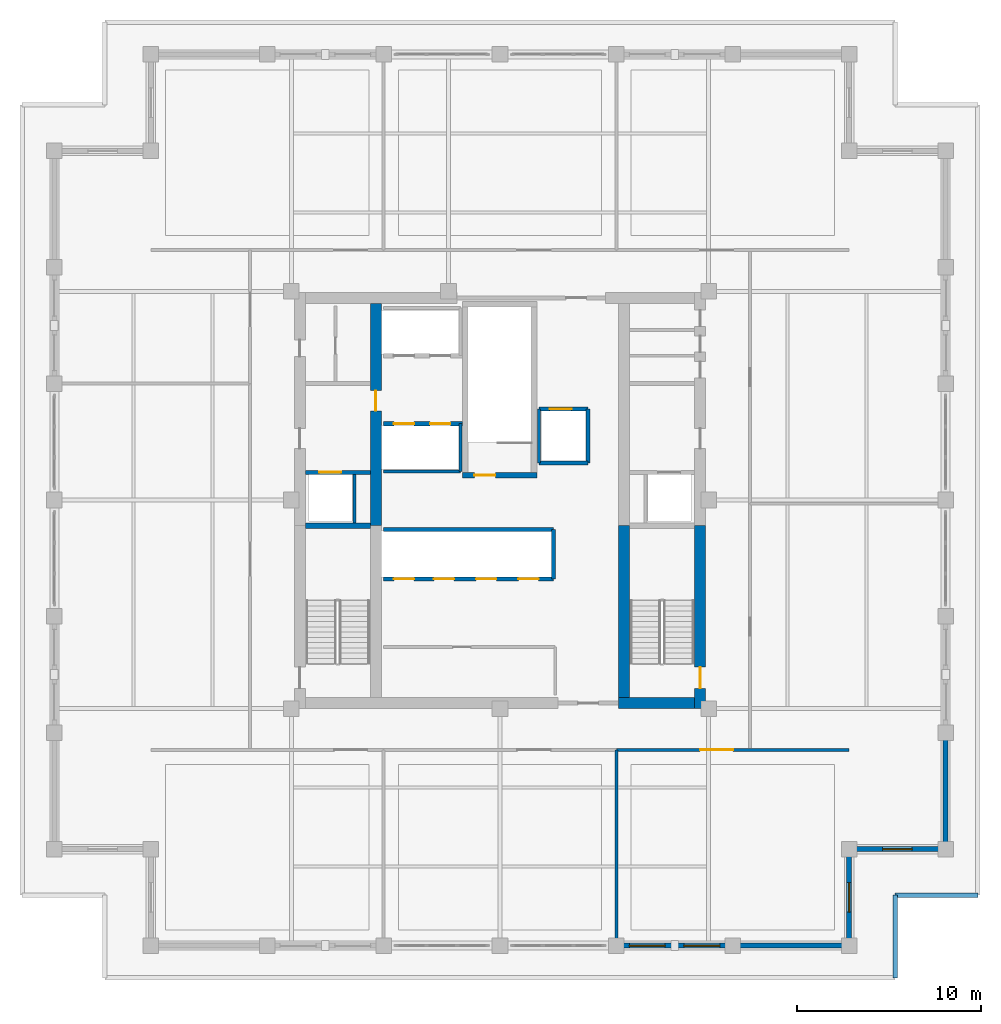
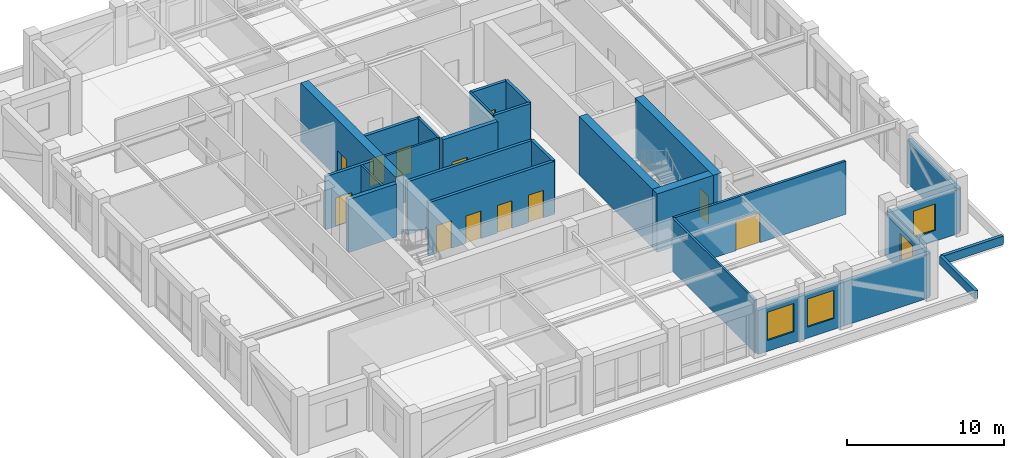
# One storey, part 8 of 14: 27 walls, 12 doors, 4 windows, 16 openings.
"""IFC4 building model written with IfcOpenShell, lengths in metres."""

from ifc_helpers import new_model, si_unit, direction, frame, frame_2d, origin, place, context, subcontext, project, spatial, rectangle, extrude, material, layer, layer_set, type_object, element, fill, save


model = new_model("IFC4")

# Units and contexts
model_context = context("Model", 3, precision=1e-05, world=origin(), true_north=direction((0.0, 1.0)))
body_context = subcontext(model_context, "Body", "Model", "MODEL_VIEW")
ifc_project = project(units=[si_unit("LENGTHUNIT", "METRE"), si_unit("AREAUNIT", "SQUARE_METRE"), si_unit("VOLUMEUNIT", "CUBIC_METRE"), si_unit("PLANEANGLEUNIT", "RADIAN"), si_unit("MASSUNIT", "GRAM", prefix="KILO")], contexts=[model_context])

# Site, building, storey
site_placement = place(None, origin())
site = spatial("IfcSite", under=ifc_project, at=site_placement, CompositionType="ELEMENT")
building_placement = place(site_placement, origin())
building = spatial("IfcBuilding", under=site, at=building_placement, Name="Nhamokura Convention Tower", CompositionType="ELEMENT")
storey_placement = place(building_placement, frame((0.0, 0.0, 182.35009765625)))
storey = spatial("IfcBuildingStorey", under=building, at=storey_placement, Name="L44", CompositionType="ELEMENT", Elevation=182.35009765625)

# Wall, openings, windows
ifc_material_1 = material(Name="Bronze-pigmented precast concrete C45/55", Category="concrete")
ifc_layer_1 = layer(ifc_material_1, 0.280029296875)
ifc_layer_set_1 = layer_set([ifc_layer_1], Name="BronzePrecastSpandrel_280")
wall_type_1 = type_object("IfcWallType", Name="BronzePrecastSpandrel_280", PredefinedType="USERDEFINED", material=ifc_layer_set_1)
wall_1_placement = place(storey_placement, frame((44.666748046875, 7.75, 0.0), z_axis=(0.0, 0.0, 1.0), x_axis=(-1.0, 0.0, 0.0)))
wall_1 = element("IfcWall", 1, at=wall_1_placement, inside=storey, type_object=wall_type_1, Name="L44 Masonry-Frame Wall SOUTH 4", ObjectType="SPANDREL_WALL", PredefinedType="USERDEFINED", context=body_context, shape_type="SweptSolid", body=[
    extrude(rectangle(XDim=6.33349609375, YDim=0.280029296875, at=frame_2d((3.166748046875, 0.0))), origin(), (0.0, 0.0, 1.0), 3.429931640625),
])
opening_1_placement = place(wall_1_placement, frame((0.708251953125, 0.0, 0.85009765625)))
opening_1 = element("IfcOpeningElement", 2, at=opening_1_placement, cuts=wall_1, Name="Opening W-08", PredefinedType="OPENING", context=body_context, shape_type="SweptSolid", body=[
    extrude(rectangle(XDim=1.949951171875, YDim=2.199951171875, at=frame_2d((0.97509765625, 1.10009765625))), frame((0.0, 0.14990234375, 0.0), z_axis=(0.0, -1.0, 0.0), x_axis=(1.0, 0.0, 0.0)), (0.0, 0.0, 1.0), 0.300048828125),
])
opening_2_placement = place(wall_1_placement, frame((3.675048828125, 0.0, 0.85009765625)))
opening_2 = element("IfcOpeningElement", 3, at=opening_2_placement, cuts=wall_1, Name="Opening W-08", PredefinedType="OPENING", context=body_context, shape_type="SweptSolid", body=[
    extrude(rectangle(XDim=1.949951171875, YDim=2.199951171875, at=frame_2d((0.97509765625, 1.10009765625))), frame((0.0, 0.14990234375, 0.0), z_axis=(0.0, -1.0, 0.0), x_axis=(1.0, 0.0, 0.0)), (0.0, 0.0, 1.0), 0.300048828125),
])
ifc_material_2 = material(Name="Solar-control bronze low-E double glass", Category="glass")
window_type_1 = type_object("IfcWindowType", Name="OfficeModuleWindow_Z3_1950", PartitioningType="SINGLE_PANEL", PredefinedType="WINDOW", material=ifc_material_2)
window_1_placement = place(opening_1_placement, origin())
window_1 = element("IfcWindow", 4, at=window_1_placement, inside=storey, type_object=window_type_1, Name="L44 Facade Window SOUTH 4-1", OverallHeight=2.199951171875, OverallWidth=1.949951171875, PartitioningType="SINGLE_PANEL", PredefinedType="WINDOW", context=body_context, shape_type="SweptSolid", body=[
    extrude(rectangle(XDim=1.949951171875, YDim=2.199951171875, at=frame_2d((0.97509765625, 1.10009765625))), frame((0.0, 0.030029296875, 0.0), z_axis=(0.0, -1.0, 0.0), x_axis=(1.0, 0.0, 0.0)), (0.0, 0.0, 1.0), 0.06005859375),
])
fill(opening_1, window_1)
window_2_placement = place(opening_2_placement, origin())
window_2 = element("IfcWindow", 5, at=window_2_placement, inside=storey, type_object=window_type_1, Name="L44 Facade Window SOUTH 4-2", OverallHeight=2.199951171875, OverallWidth=1.949951171875, PartitioningType="SINGLE_PANEL", PredefinedType="WINDOW", context=body_context, shape_type="SweptSolid", body=[
    extrude(rectangle(XDim=1.949951171875, YDim=2.199951171875, at=frame_2d((0.97509765625, 1.10009765625))), frame((0.0, 0.030029296875, 0.0), z_axis=(0.0, -1.0, 0.0), x_axis=(1.0, 0.0, 0.0)), (0.0, 0.0, 1.0), 0.06005859375),
])
fill(opening_2, window_2)

# Walls
for number, where, z_axis, x_axis, name in (
    (6, (51.0, 7.75, 0.0), (0.0, 0.0, 1.0), (-1.0, 0.0, 0.0), "L44 Braced-Bay Precast Wall SOUTH 5"),
    (7, (56.25, 19.333251953125, 0.0), (0.0, 0.0, 1.0), (0.0, -1.0, 0.0), "L44 Braced-Bay Precast Wall EAST 0"),
):
    element("IfcWall", number, at=place(storey_placement, frame(where, z_axis=z_axis, x_axis=x_axis)), inside=storey, type_object=wall_type_1, Name=name, ObjectType="SPANDREL_WALL", PredefinedType="USERDEFINED", context=body_context, shape_type="SweptSolid", body=[
        extrude(rectangle(XDim=6.333251953125, YDim=0.280029296875, at=frame_2d((3.16650390625, 0.0))), origin(), (0.0, 0.0, 1.0), 3.429931640625),
    ])

# Wall, opening, window
wall_2_placement = place(storey_placement, frame((51.0, 13.0, 0.0), z_axis=(0.0, 0.0, 1.0), x_axis=(0.0, -1.0, 0.0)))
wall_2 = element("IfcWall", 8, at=wall_2_placement, inside=storey, type_object=wall_type_1, Name="L44 Notched Corner Wall SE1", ObjectType="SPANDREL_WALL", PredefinedType="USERDEFINED", context=body_context, shape_type="SweptSolid", body=[
    extrude(rectangle(XDim=5.25, YDim=0.280029296875, at=frame_2d((2.625, 0.0))), origin(), (0.0, 0.0, 1.0), 3.429931640625),
])
opening_3_placement = place(wall_2_placement, frame((1.824951171875, 0.0, 0.85009765625)))
opening_3 = element("IfcOpeningElement", 9, at=opening_3_placement, cuts=wall_2, Name="Opening W-11", PredefinedType="OPENING", context=body_context, shape_type="SweptSolid", body=[
    extrude(rectangle(XDim=1.60009765625, YDim=2.050048828125, at=frame_2d((0.800048828125, 1.02490234375))), frame((0.0, 0.14990234375, 0.0), z_axis=(0.0, -1.0, 0.0), x_axis=(1.0, 0.0, 0.0)), (0.0, 0.0, 1.0), 0.300048828125),
])
ifc_material_3 = material(Name="Solar-control bronze low-E double glass", Category="glass")
window_type_2 = type_object("IfcWindowType", Name="NotchCornerWindow_1600", PartitioningType="SINGLE_PANEL", PredefinedType="WINDOW", material=ifc_material_3)
window_3_placement = place(opening_3_placement, origin())
window_3 = element("IfcWindow", 10, at=window_3_placement, inside=storey, type_object=window_type_2, Name="L44 Notched Corner Window SE1", OverallHeight=2.050048828125, OverallWidth=1.60009765625, PartitioningType="SINGLE_PANEL", PredefinedType="WINDOW", context=body_context, shape_type="SweptSolid", body=[
    extrude(rectangle(XDim=1.60009765625, YDim=2.050048828125, at=frame_2d((0.800048828125, 1.02490234375))), frame((0.0, 0.030029296875, 0.0), z_axis=(0.0, -1.0, 0.0), x_axis=(1.0, 0.0, 0.0)), (0.0, 0.0, 1.0), 0.06005859375),
])
fill(opening_3, window_3)

wall_3_placement = place(storey_placement, frame((56.25, 13.0, 0.0), z_axis=(0.0, 0.0, 1.0), x_axis=(-1.0, 0.0, 0.0)))
wall_3 = element("IfcWall", 11, at=wall_3_placement, inside=storey, type_object=wall_type_1, Name="L44 Notched Corner Wall SE2", ObjectType="SPANDREL_WALL", PredefinedType="USERDEFINED", context=body_context, shape_type="SweptSolid", body=[
    extrude(rectangle(XDim=5.25, YDim=0.280029296875, at=frame_2d((2.625, 0.0))), origin(), (0.0, 0.0, 1.0), 3.429931640625),
])
opening_4_placement = place(wall_3_placement, frame((1.824951171875, 0.0, 0.85009765625)))
opening_4 = element("IfcOpeningElement", 12, at=opening_4_placement, cuts=wall_3, Name="Opening W-11", PredefinedType="OPENING", context=body_context, shape_type="SweptSolid", body=[
    extrude(rectangle(XDim=1.60009765625, YDim=2.050048828125, at=frame_2d((0.800048828125, 1.02490234375))), frame((0.0, 0.14990234375, 0.0), z_axis=(0.0, -1.0, 0.0), x_axis=(1.0, 0.0, 0.0)), (0.0, 0.0, 1.0), 0.300048828125),
])
window_4_placement = place(opening_4_placement, origin())
window_4 = element("IfcWindow", 13, at=window_4_placement, inside=storey, type_object=window_type_2, Name="L44 Notched Corner Window SE2", OverallHeight=2.050048828125, OverallWidth=1.60009765625, PartitioningType="SINGLE_PANEL", PredefinedType="WINDOW", context=body_context, shape_type="SweptSolid", body=[
    extrude(rectangle(XDim=1.60009765625, YDim=2.050048828125, at=frame_2d((0.800048828125, 1.02490234375))), frame((0.0, 0.030029296875, 0.0), z_axis=(0.0, -1.0, 0.0), x_axis=(1.0, 0.0, 0.0)), (0.0, 0.0, 1.0), 0.06005859375),
])
fill(opening_4, window_4)

# Wall, opening, door
ifc_material_4 = material(Name="Concrete C60/75", Category="concrete")
ifc_layer_2 = layer(ifc_material_4, 0.60009765625)
ifc_layer_set_2 = layer_set([ifc_layer_2], Name="CoreShearWall_600")
wall_type_2 = type_object("IfcWallType", Name="CoreShearWall_600", PredefinedType="SHEAR", material=ifc_layer_set_2)
wall_4_placement = place(storey_placement, frame((42.889892578125, 20.64990234375, 0.0), z_axis=(0.0, 0.0, 1.0), x_axis=(0.0, 1.0, 0.0)))
wall_4 = element("IfcWall", 14, at=wall_4_placement, inside=storey, type_object=wall_type_2, Name="L44 Core Shear Wall CW-ES", PredefinedType="SHEAR", context=body_context, shape_type="SweptSolid", body=[
    extrude(rectangle(XDim=9.9501953125, YDim=0.60009765625, at=frame_2d((4.97509765625, 0.0))), origin(), (0.0, 0.0, 1.0), 4.5498046875),
])
opening_5_placement = place(wall_4_placement, frame((1.10009765625, 0.0, 0.0)))
opening_5 = element("IfcOpeningElement", 15, at=opening_5_placement, cuts=wall_4, Name="Opening D-04", PredefinedType="OPENING", context=body_context, shape_type="SweptSolid", body=[
    extrude(rectangle(XDim=1.14990234375, YDim=2.14990234375, at=frame_2d((0.574951171875, 1.074951171875))), frame((0.0, 0.31005859375, 0.0), z_axis=(0.0, -1.0, 0.0), x_axis=(1.0, 0.0, 0.0)), (0.0, 0.0, 1.0), 0.6201171875),
])
ifc_material_5 = material(Name="Fire-rated steel door", Category="steel")
door_type_1 = type_object("IfcDoorType", Name="StairSmokeDoor_1150", OperationType="NOTDEFINED", PredefinedType="DOOR", material=ifc_material_5)
door_1_placement = place(opening_5_placement, origin())
door_1 = element("IfcDoor", 16, at=door_1_placement, inside=storey, type_object=door_type_1, Name="L44 Core Door INT-L44-D-ST02", OperationType="SINGLE_SWING_RIGHT", OverallHeight=2.14990234375, OverallWidth=1.14990234375, PredefinedType="DOOR", context=body_context, shape_type="SweptSolid", body=[
    extrude(rectangle(XDim=1.14990234375, YDim=2.14990234375, at=frame_2d((0.574951171875, 1.074951171875))), frame((0.0, 0.02490234375, 0.0), z_axis=(0.0, -1.0, 0.0), x_axis=(1.0, 0.0, 0.0)), (0.0, 0.0, 1.0), 0.050048828125),
])
fill(opening_5, door_1)

# Wall
wall_5_placement = place(storey_placement, frame((38.449951171875, 20.949951171875, 0.0), z_axis=(0.0, 0.0, 1.0), x_axis=(1.0, 0.0, 0.0)))
element("IfcWall", 17, at=wall_5_placement, inside=storey, type_object=wall_type_2, Name="L44 Core Shear Wall CW-S2", PredefinedType="SHEAR", context=body_context, shape_type="SweptSolid", body=[
    extrude(rectangle(XDim=4.14013671875, YDim=0.60009765625, at=frame_2d((2.070068359375, 0.0))), origin(), (0.0, 0.0, 1.0), 4.5498046875),
])

# Wall, opening, door
wall_6_placement = place(storey_placement, frame((25.239990234375, 30.60009765625, 0.0), z_axis=(0.0, 0.0, 1.0), x_axis=(0.0, 1.0, 0.0)))
wall_6 = element("IfcWall", 18, at=wall_6_placement, inside=storey, type_object=wall_type_2, Name="L44 Core Shear Wall CW-IWN", PredefinedType="SHEAR", context=body_context, shape_type="SweptSolid", body=[
    extrude(rectangle(XDim=12.099853515625, YDim=0.60009765625, at=frame_2d((6.0498046875, 0.0))), origin(), (0.0, 0.0, 1.0), 4.5498046875),
])
opening_6_placement = place(wall_6_placement, frame((6.25, 0.0, 0.0)))
opening_6 = element("IfcOpeningElement", 19, at=opening_6_placement, cuts=wall_6, Name="Opening D-05", PredefinedType="OPENING", context=body_context, shape_type="SweptSolid", body=[
    extrude(rectangle(XDim=1.10009765625, YDim=2.14990234375, at=frame_2d((0.550048828125, 1.074951171875))), frame((0.0, 0.31005859375, 0.0), z_axis=(0.0, -1.0, 0.0), x_axis=(1.0, 0.0, 0.0)), (0.0, 0.0, 1.0), 0.6201171875),
])
ifc_material_6 = material(Name="Fire-rated steel door", Category="steel")
door_type_2 = type_object("IfcDoorType", Name="FireLobbyDoor_1100", OperationType="NOTDEFINED", PredefinedType="DOOR", material=ifc_material_6)
door_2_placement = place(opening_6_placement, origin())
door_2 = element("IfcDoor", 20, at=door_2_placement, inside=storey, type_object=door_type_2, Name="L44 Core Door INT-L44-D-B3LOB", OperationType="SINGLE_SWING_LEFT", OverallHeight=2.14990234375, OverallWidth=1.10009765625, PredefinedType="DOOR", context=body_context, shape_type="SweptSolid", body=[
    extrude(rectangle(XDim=1.10009765625, YDim=2.14990234375, at=frame_2d((0.550048828125, 1.074951171875))), frame((0.0, 0.02490234375, 0.0), z_axis=(0.0, -1.0, 0.0), x_axis=(1.0, 0.0, 0.0)), (0.0, 0.0, 1.0), 0.050048828125),
])
fill(opening_6, door_2)

# Wall
wall_7_placement = place(storey_placement, frame((38.760009765625, 21.25, 0.0), z_axis=(0.0, 0.0, 1.0), x_axis=(0.0, 1.0, 0.0)))
element("IfcWall", 21, at=wall_7_placement, inside=storey, type_object=wall_type_2, Name="L44 Core Shear Wall CW-IES", PredefinedType="SHEAR", context=body_context, shape_type="SweptSolid", body=[
    extrude(rectangle(XDim=9.35009765625, YDim=0.60009765625, at=frame_2d((4.675048828125, 0.0))), origin(), (0.0, 0.0, 1.0), 4.5498046875),
])

# Wall, opening, door
ifc_material_7 = material(Name="Fire-rated gypsum and masonry partition", Category="masonry")
ifc_layer_3 = layer(ifc_material_7, 0.179931640625)
ifc_layer_set_3 = layer_set([ifc_layer_3], Name="CorridorRatedWall_180")
wall_type_3 = type_object("IfcWallType", Name="CorridorRatedWall_180", PredefinedType="STANDARD", material=ifc_layer_set_3)
wall_8_placement = place(storey_placement, frame((38.333251953125, 18.39990234375, 0.0), z_axis=(0.0, 0.0, 1.0), x_axis=(1.0, 0.0, 0.0)))
wall_8 = element("IfcWall", 22, at=wall_8_placement, inside=storey, type_object=wall_type_3, Name="L44 Wall INT-L44-CW-S02", PredefinedType="STANDARD", context=body_context, shape_type="SweptSolid", body=[
    extrude(rectangle(XDim=12.666748046875, YDim=0.179931640625, at=frame_2d((6.33349609375, 0.0))), origin(), (0.0, 0.0, 1.0), 4.1298828125),
])
opening_7_placement = place(wall_8_placement, frame((4.558349609375, 0.0, 0.0)))
opening_7 = element("IfcOpeningElement", 23, at=opening_7_placement, cuts=wall_8, Name="Opening D-03", PredefinedType="OPENING", context=body_context, shape_type="SweptSolid", body=[
    extrude(rectangle(XDim=1.800048828125, YDim=2.35009765625, at=frame_2d((0.89990234375, 1.175048828125))), frame((0.0, 0.099853515625, 0.0), z_axis=(0.0, -1.0, 0.0), x_axis=(1.0, 0.0, 0.0)), (0.0, 0.0, 1.0), 0.199951171875),
])
ifc_material_8 = material(Name="Solid oak hardwood", Category="wood")
door_type_3 = type_object("IfcDoorType", Name="BallroomDoubleDoor_1800", OperationType="DOUBLE_DOOR_SINGLE_SWING", PredefinedType="DOOR", material=ifc_material_8)
door_3_placement = place(opening_7_placement, origin())
door_3 = element("IfcDoor", 24, at=door_3_placement, inside=storey, type_object=door_type_3, Name="L44 Concierge Office S03 Door", OperationType="SINGLE_SWING_LEFT", OverallHeight=2.35009765625, OverallWidth=1.800048828125, PredefinedType="DOOR", context=body_context, shape_type="SweptSolid", body=[
    extrude(rectangle(XDim=1.800048828125, YDim=2.35009765625, at=frame_2d((0.89990234375, 1.175048828125))), frame((0.0, 0.02490234375, 0.0), z_axis=(0.0, -1.0, 0.0), x_axis=(1.0, 0.0, 0.0)), (0.0, 0.0, 1.0), 0.050048828125),
])
fill(opening_7, door_3)

ifc_material_9 = material(Name="Autoclaved concrete blockwork", Category="masonry")
ifc_layer_4 = layer(ifc_material_9, 0.219970703125)
ifc_layer_set_4 = layer_set([ifc_layer_4], Name="FireLobbyWall_220")
wall_type_4 = type_object("IfcWallType", Name="FireLobbyWall_220", PredefinedType="STANDARD", material=ifc_layer_set_4)
wall_9_placement = place(storey_placement, frame((21.409912109375, 33.5, 0.0), z_axis=(0.0, 0.0, 1.0), x_axis=(1.0, 0.0, 0.0)))
wall_9 = element("IfcWall", 25, at=wall_9_placement, inside=storey, type_object=wall_type_4, Name="L44 Wall INT-L44-FFW-S", PredefinedType="STANDARD", context=body_context, shape_type="SweptSolid", body=[
    extrude(rectangle(XDim=3.530029296875, YDim=0.219970703125, at=frame_2d((1.76513671875, 0.0))), origin(), (0.0, 0.0, 1.0), 4.1298828125),
])
opening_8_placement = place(wall_9_placement, frame((0.75, 0.0, 0.0)))
opening_8 = element("IfcOpeningElement", 26, at=opening_8_placement, cuts=wall_9, Name="Opening LD-02", PredefinedType="OPENING", context=body_context, shape_type="SweptSolid", body=[
    extrude(rectangle(XDim=1.199951171875, YDim=2.199951171875, at=frame_2d((0.60009765625, 1.10009765625))), frame((0.0, 0.119873046875, 0.0), z_axis=(0.0, -1.0, 0.0), x_axis=(1.0, 0.0, 0.0)), (0.0, 0.0, 1.0), 0.239990234375),
])
ifc_material_10 = material(Name="Anodised bronze stainless steel", Category="steel")
door_type_4 = type_object("IfcDoorType", Name="LiftLandingDoor_FireService", OperationType="DOUBLE_DOOR_SLIDING", PredefinedType="DOOR", material=ifc_material_10)
door_4_placement = place(opening_8_placement, origin())
door_4 = element("IfcDoor", 27, at=door_4_placement, inside=storey, type_object=door_type_4, Name="L44 Firefighting Lift LF-01 Door", OperationType="DOUBLE_DOOR_SLIDING", OverallHeight=2.199951171875, OverallWidth=1.199951171875, PredefinedType="DOOR", context=body_context, shape_type="SweptSolid", body=[
    extrude(rectangle(XDim=1.199951171875, YDim=2.199951171875, at=frame_2d((0.60009765625, 1.10009765625))), frame((0.0, 0.02490234375, 0.0), z_axis=(0.0, -1.0, 0.0), x_axis=(1.0, 0.0, 0.0)), (0.0, 0.0, 1.0), 0.050048828125),
])
fill(opening_8, door_4)

# Wall, openings, doors
wall_10_placement = place(storey_placement, frame((25.64990234375, 27.699951171875, 0.0), z_axis=(0.0, 0.0, 1.0), x_axis=(1.0, 0.0, 0.0)))
wall_10 = element("IfcWall", 28, at=wall_10_placement, inside=storey, type_object=wall_type_4, Name="L44 Wall INT-L44-B2S", PredefinedType="STANDARD", context=body_context, shape_type="SweptSolid", body=[
    extrude(rectangle(XDim=9.25, YDim=0.219970703125, at=frame_2d((4.625, 0.0))), origin(), (0.0, 0.0, 1.0), 4.1298828125),
])
opening_9_placement = place(wall_10_placement, frame((0.580078125, 0.0, 0.0)))
opening_9 = element("IfcOpeningElement", 29, at=opening_9_placement, cuts=wall_10, Name="Opening LD-01", PredefinedType="OPENING", context=body_context, shape_type="SweptSolid", body=[
    extrude(rectangle(XDim=1.10009765625, YDim=2.14990234375, at=frame_2d((0.550048828125, 1.074951171875))), frame((0.0, 0.119873046875, 0.0), z_axis=(0.0, -1.0, 0.0), x_axis=(1.0, 0.0, 0.0)), (0.0, 0.0, 1.0), 0.239990234375),
])
opening_10_placement = place(wall_10_placement, frame((2.75, 0.0, 0.0)))
opening_10 = element("IfcOpeningElement", 30, at=opening_10_placement, cuts=wall_10, Name="Opening LD-01", PredefinedType="OPENING", context=body_context, shape_type="SweptSolid", body=[
    extrude(rectangle(XDim=1.10009765625, YDim=2.14990234375, at=frame_2d((0.550048828125, 1.074951171875))), frame((0.0, 0.119873046875, 0.0), z_axis=(0.0, -1.0, 0.0), x_axis=(1.0, 0.0, 0.0)), (0.0, 0.0, 1.0), 0.239990234375),
])
opening_11_placement = place(wall_10_placement, frame((5.050048828125, 0.0, 0.0)))
opening_11 = element("IfcOpeningElement", 31, at=opening_11_placement, cuts=wall_10, Name="Opening LD-01", PredefinedType="OPENING", context=body_context, shape_type="SweptSolid", body=[
    extrude(rectangle(XDim=1.10009765625, YDim=2.14990234375, at=frame_2d((0.550048828125, 1.074951171875))), frame((0.0, 0.119873046875, 0.0), z_axis=(0.0, -1.0, 0.0), x_axis=(1.0, 0.0, 0.0)), (0.0, 0.0, 1.0), 0.239990234375),
])
opening_12_placement = place(wall_10_placement, frame((7.35009765625, 0.0, 0.0)))
opening_12 = element("IfcOpeningElement", 32, at=opening_12_placement, cuts=wall_10, Name="Opening LD-01", PredefinedType="OPENING", context=body_context, shape_type="SweptSolid", body=[
    extrude(rectangle(XDim=1.10009765625, YDim=2.14990234375, at=frame_2d((0.550048828125, 1.074951171875))), frame((0.0, 0.119873046875, 0.0), z_axis=(0.0, -1.0, 0.0), x_axis=(1.0, 0.0, 0.0)), (0.0, 0.0, 1.0), 0.239990234375),
])
ifc_material_11 = material(Name="Anodised bronze stainless steel", Category="steel")
door_type_5 = type_object("IfcDoorType", Name="LiftLandingDoor_Passenger", OperationType="DOUBLE_DOOR_SLIDING", PredefinedType="DOOR", material=ifc_material_11)
door_5_placement = place(opening_9_placement, origin())
door_5 = element("IfcDoor", 33, at=door_5_placement, inside=storey, type_object=door_type_5, Name="L44 Lift LP-05 Landing Door", OperationType="DOUBLE_DOOR_SLIDING", OverallHeight=2.14990234375, OverallWidth=1.10009765625, PredefinedType="DOOR", context=body_context, shape_type="SweptSolid", body=[
    extrude(rectangle(XDim=1.10009765625, YDim=2.14990234375, at=frame_2d((0.550048828125, 1.074951171875))), frame((0.0, 0.02490234375, 0.0), z_axis=(0.0, -1.0, 0.0), x_axis=(1.0, 0.0, 0.0)), (0.0, 0.0, 1.0), 0.050048828125),
])
fill(opening_9, door_5)
door_6_placement = place(opening_10_placement, origin())
door_6 = element("IfcDoor", 34, at=door_6_placement, inside=storey, type_object=door_type_5, Name="L44 Lift LP-06 Landing Door", OperationType="DOUBLE_DOOR_SLIDING", OverallHeight=2.14990234375, OverallWidth=1.10009765625, PredefinedType="DOOR", context=body_context, shape_type="SweptSolid", body=[
    extrude(rectangle(XDim=1.10009765625, YDim=2.14990234375, at=frame_2d((0.550048828125, 1.074951171875))), frame((0.0, 0.02490234375, 0.0), z_axis=(0.0, -1.0, 0.0), x_axis=(1.0, 0.0, 0.0)), (0.0, 0.0, 1.0), 0.050048828125),
])
fill(opening_10, door_6)
door_7_placement = place(opening_11_placement, origin())
door_7 = element("IfcDoor", 35, at=door_7_placement, inside=storey, type_object=door_type_5, Name="L44 Lift LP-07 Landing Door", OperationType="DOUBLE_DOOR_SLIDING", OverallHeight=2.14990234375, OverallWidth=1.10009765625, PredefinedType="DOOR", context=body_context, shape_type="SweptSolid", body=[
    extrude(rectangle(XDim=1.10009765625, YDim=2.14990234375, at=frame_2d((0.550048828125, 1.074951171875))), frame((0.0, 0.02490234375, 0.0), z_axis=(0.0, -1.0, 0.0), x_axis=(1.0, 0.0, 0.0)), (0.0, 0.0, 1.0), 0.050048828125),
])
fill(opening_11, door_7)
door_8_placement = place(opening_12_placement, origin())
door_8 = element("IfcDoor", 36, at=door_8_placement, inside=storey, type_object=door_type_5, Name="L44 Lift LP-08 Landing Door", OperationType="DOUBLE_DOOR_SLIDING", OverallHeight=2.14990234375, OverallWidth=1.10009765625, PredefinedType="DOOR", context=body_context, shape_type="SweptSolid", body=[
    extrude(rectangle(XDim=1.10009765625, YDim=2.14990234375, at=frame_2d((0.550048828125, 1.074951171875))), frame((0.0, 0.02490234375, 0.0), z_axis=(0.0, -1.0, 0.0), x_axis=(1.0, 0.0, 0.0)), (0.0, 0.0, 1.0), 0.050048828125),
])
fill(opening_12, door_8)

# Walls
wall_11_placement = place(storey_placement, frame((25.64990234375, 30.39990234375, 0.0), z_axis=(0.0, 0.0, 1.0), x_axis=(1.0, 0.0, 0.0)))
element("IfcWall", 37, at=wall_11_placement, inside=storey, type_object=wall_type_4, Name="L44 Wall INT-L44-B2N", PredefinedType="STANDARD", context=body_context, shape_type="SweptSolid", body=[
    extrude(rectangle(XDim=9.25, YDim=0.219970703125, at=frame_2d((4.625, 0.0))), origin(), (0.0, 0.0, 1.0), 4.1298828125),
])
wall_12_placement = place(storey_placement, frame((34.89990234375, 27.699951171875, 0.0), z_axis=(0.0, 0.0, 1.0), x_axis=(0.0, 1.0, 0.0)))
element("IfcWall", 38, at=wall_12_placement, inside=storey, type_object=wall_type_4, Name="L44 Wall INT-L44-B2E", PredefinedType="STANDARD", context=body_context, shape_type="SweptSolid", body=[
    extrude(rectangle(XDim=2.699951171875, YDim=0.219970703125, at=frame_2d((1.35009765625, 0.0))), origin(), (0.0, 0.0, 1.0), 4.1298828125),
])

# Wall, openings, doors
wall_13_placement = place(storey_placement, frame((25.64990234375, 36.14990234375, 0.0), z_axis=(0.0, 0.0, 1.0), x_axis=(1.0, 0.0, 0.0)))
wall_13 = element("IfcWall", 39, at=wall_13_placement, inside=storey, type_object=wall_type_4, Name="L44 Wall INT-L44-B3S", PredefinedType="STANDARD", context=body_context, shape_type="SweptSolid", body=[
    extrude(rectangle(XDim=4.300048828125, YDim=0.219970703125, at=frame_2d((2.14990234375, 0.0))), origin(), (0.0, 0.0, 1.0), 4.1298828125),
])
opening_13_placement = place(wall_13_placement, frame((0.580078125, 0.0, 0.0)))
opening_13 = element("IfcOpeningElement", 40, at=opening_13_placement, cuts=wall_13, Name="Opening LD-01", PredefinedType="OPENING", context=body_context, shape_type="SweptSolid", body=[
    extrude(rectangle(XDim=1.10009765625, YDim=2.14990234375, at=frame_2d((0.550048828125, 1.074951171875))), frame((0.0, 0.119873046875, 0.0), z_axis=(0.0, -1.0, 0.0), x_axis=(1.0, 0.0, 0.0)), (0.0, 0.0, 1.0), 0.239990234375),
])
opening_14_placement = place(wall_13_placement, frame((2.550048828125, 0.0, 0.0)))
opening_14 = element("IfcOpeningElement", 41, at=opening_14_placement, cuts=wall_13, Name="Opening LD-01", PredefinedType="OPENING", context=body_context, shape_type="SweptSolid", body=[
    extrude(rectangle(XDim=1.10009765625, YDim=2.14990234375, at=frame_2d((0.550048828125, 1.074951171875))), frame((0.0, 0.119873046875, 0.0), z_axis=(0.0, -1.0, 0.0), x_axis=(1.0, 0.0, 0.0)), (0.0, 0.0, 1.0), 0.239990234375),
])
door_9_placement = place(opening_13_placement, origin())
door_9 = element("IfcDoor", 42, at=door_9_placement, inside=storey, type_object=door_type_5, Name="L44 Lift LP-09 Door", OperationType="DOUBLE_DOOR_SLIDING", OverallHeight=2.14990234375, OverallWidth=1.10009765625, PredefinedType="DOOR", context=body_context, shape_type="SweptSolid", body=[
    extrude(rectangle(XDim=1.10009765625, YDim=2.14990234375, at=frame_2d((0.550048828125, 1.074951171875))), frame((0.0, 0.02490234375, 0.0), z_axis=(0.0, -1.0, 0.0), x_axis=(1.0, 0.0, 0.0)), (0.0, 0.0, 1.0), 0.050048828125),
])
fill(opening_13, door_9)
door_10_placement = place(opening_14_placement, origin())
door_10 = element("IfcDoor", 43, at=door_10_placement, inside=storey, type_object=door_type_5, Name="L44 Lift LP-10 Door", OperationType="DOUBLE_DOOR_SLIDING", OverallHeight=2.14990234375, OverallWidth=1.10009765625, PredefinedType="DOOR", context=body_context, shape_type="SweptSolid", body=[
    extrude(rectangle(XDim=1.10009765625, YDim=2.14990234375, at=frame_2d((0.550048828125, 1.074951171875))), frame((0.0, 0.02490234375, 0.0), z_axis=(0.0, -1.0, 0.0), x_axis=(1.0, 0.0, 0.0)), (0.0, 0.0, 1.0), 0.050048828125),
])
fill(opening_14, door_10)

# Wall, opening, door
wall_14_placement = place(storey_placement, frame((34.1201171875, 36.949951171875, 0.0), z_axis=(0.0, 0.0, 1.0), x_axis=(1.0, 0.0, 0.0)))
wall_14 = element("IfcWall", 44, at=wall_14_placement, inside=storey, type_object=wall_type_4, Name="L44 Wall INT-L44-LSN", PredefinedType="STANDARD", context=body_context, shape_type="SweptSolid", body=[
    extrude(rectangle(XDim=2.679931640625, YDim=0.219970703125, at=frame_2d((1.33984375, 0.0))), origin(), (0.0, 0.0, 1.0), 4.1298828125),
])
opening_15_placement = place(wall_14_placement, frame((0.580078125, 0.0, 0.0)))
opening_15 = element("IfcOpeningElement", 45, at=opening_15_placement, cuts=wall_14, Name="Opening LD-02", PredefinedType="OPENING", context=body_context, shape_type="SweptSolid", body=[
    extrude(rectangle(XDim=1.199951171875, YDim=2.199951171875, at=frame_2d((0.60009765625, 1.10009765625))), frame((0.0, 0.119873046875, 0.0), z_axis=(0.0, -1.0, 0.0), x_axis=(1.0, 0.0, 0.0)), (0.0, 0.0, 1.0), 0.239990234375),
])
door_11_placement = place(opening_15_placement, origin())
door_11 = element("IfcDoor", 46, at=door_11_placement, inside=storey, type_object=door_type_4, Name="L44 Service Lift LS-01 Door", OperationType="DOUBLE_DOOR_SLIDING", OverallHeight=2.199951171875, OverallWidth=1.199951171875, PredefinedType="DOOR", context=body_context, shape_type="SweptSolid", body=[
    extrude(rectangle(XDim=1.199951171875, YDim=2.199951171875, at=frame_2d((0.60009765625, 1.10009765625))), frame((0.0, 0.02490234375, 0.0), z_axis=(0.0, -1.0, 0.0), x_axis=(1.0, 0.0, 0.0)), (0.0, 0.0, 1.0), 0.050048828125),
])
fill(opening_15, door_11)

# Walls
wall_15_placement = place(storey_placement, frame((36.800048828125, 34.02001953125, 0.0), z_axis=(0.0, 0.0, 1.0), x_axis=(0.0, 1.0, 0.0)))
element("IfcWall", 47, at=wall_15_placement, inside=storey, type_object=wall_type_4, Name="L44 Wall INT-L44-LSE", PredefinedType="STANDARD", context=body_context, shape_type="SweptSolid", body=[
    extrude(rectangle(XDim=2.929931640625, YDim=0.219970703125, at=frame_2d((1.46484375, 0.0))), origin(), (0.0, 0.0, 1.0), 4.1298828125),
])
wall_16_placement = place(storey_placement, frame((34.1201171875, 34.02001953125, 0.0), z_axis=(0.0, 0.0, 1.0), x_axis=(1.0, 0.0, 0.0)))
element("IfcWall", 48, at=wall_16_placement, inside=storey, type_object=wall_type_4, Name="L44 Wall INT-L44-LSS", PredefinedType="STANDARD", context=body_context, shape_type="SweptSolid", body=[
    extrude(rectangle(XDim=2.679931640625, YDim=0.219970703125, at=frame_2d((1.33984375, 0.0))), origin(), (0.0, 0.0, 1.0), 4.1298828125),
])
ifc_material_12 = material(Name="Acoustic gypsum stud partition", Category="masonry")
ifc_layer_5 = layer(ifc_material_12, 0.14990234375)
ifc_layer_set_5 = layer_set([ifc_layer_5], Name="InteriorPartition_150")
wall_type_5 = type_object("IfcWallType", Name="InteriorPartition_150", PredefinedType="STANDARD", material=ifc_layer_set_5)
wall_17_placement = place(storey_placement, frame((24.080078125, 30.75, 0.0), z_axis=(0.0, 0.0, 1.0), x_axis=(0.0, 1.0, 0.0)))
element("IfcWall", 49, at=wall_17_placement, inside=storey, type_object=wall_type_5, Name="L44 Wall INT-L44-FF1-E", PredefinedType="STANDARD", context=body_context, shape_type="SweptSolid", body=[
    extrude(rectangle(XDim=2.64990234375, YDim=0.14990234375, at=frame_2d((1.324951171875, 0.0))), origin(), (0.0, 0.0, 1.0), 4.1298828125),
])
wall_18_placement = place(storey_placement, frame((25.64990234375, 33.550048828125, 0.0), z_axis=(0.0, 0.0, 1.0), x_axis=(1.0, 0.0, 0.0)))
element("IfcWall", 50, at=wall_18_placement, inside=storey, type_object=wall_type_5, Name="L44 Wall INT-L44-B3A-S", PredefinedType="STANDARD", context=body_context, shape_type="SweptSolid", body=[
    extrude(rectangle(XDim=4.2001953125, YDim=0.14990234375, at=frame_2d((2.10009765625, 0.0))), origin(), (0.0, 0.0, 1.0), 4.1298828125),
])
wall_19_placement = place(storey_placement, frame((29.85009765625, 33.550048828125, 0.0), z_axis=(0.0, 0.0, 1.0), x_axis=(0.0, 1.0, 0.0)))
element("IfcWall", 51, at=wall_19_placement, inside=storey, type_object=wall_type_5, Name="L44 Wall INT-L44-B3A-E", PredefinedType="STANDARD", context=body_context, shape_type="SweptSolid", body=[
    extrude(rectangle(XDim=2.599853515625, YDim=0.14990234375, at=frame_2d((1.2998046875, 0.0))), origin(), (0.0, 0.0, 1.0), 4.1298828125),
])
wall_20_placement = place(storey_placement, frame((34.1201171875, 34.02001953125, 0.0), z_axis=(0.0, 0.0, 1.0), x_axis=(0.0, 1.0, 0.0)))
element("IfcWall", 52, at=wall_20_placement, inside=storey, type_object=wall_type_5, Name="L44 Wall INT-L44-LSW", PredefinedType="STANDARD", context=body_context, shape_type="SweptSolid", body=[
    extrude(rectangle(XDim=2.929931640625, YDim=0.14990234375, at=frame_2d((1.46484375, 0.0))), origin(), (0.0, 0.0, 1.0), 4.1298828125),
])
wall_21_placement = place(storey_placement, frame((38.333251953125, 7.81005859375, 0.0), z_axis=(0.0, 0.0, 1.0), x_axis=(0.0, 1.0, 0.0)))
element("IfcWall", 53, at=wall_21_placement, inside=storey, type_object=wall_type_5, Name="L44 Wall INT-L44-RW-S02", PredefinedType="STANDARD", context=body_context, shape_type="SweptSolid", body=[
    extrude(rectangle(XDim=10.58984375, YDim=0.14990234375, at=frame_2d((5.294921875, 0.0))), origin(), (0.0, 0.0, 1.0), 4.1298828125),
])
ifc_material_13 = material(Name="Concrete C50/60", Category="concrete")
ifc_layer_6 = layer(ifc_material_13, 0.300048828125)
ifc_layer_set_6 = layer_set([ifc_layer_6], Name="ShaftEnclosureWall_300")
wall_type_6 = type_object("IfcWallType", Name="ShaftEnclosureWall_300", PredefinedType="SHEAR", material=ifc_layer_set_6)
wall_22_placement = place(storey_placement, frame((21.409912109375, 30.60009765625, 0.0), z_axis=(0.0, 0.0, 1.0), x_axis=(1.0, 0.0, 0.0)))
element("IfcWall", 54, at=wall_22_placement, inside=storey, type_object=wall_type_6, Name="L44 Wall INT-L44-ST01-N", PredefinedType="SHEAR", context=body_context, shape_type="SweptSolid", body=[
    extrude(rectangle(XDim=3.530029296875, YDim=0.300048828125, at=frame_2d((1.76513671875, 0.0))), origin(), (0.0, 0.0, 1.0), 4.1298828125),
])

# Wall, opening, door
wall_23_placement = place(storey_placement, frame((29.949951171875, 33.35009765625, 0.0), z_axis=(0.0, 0.0, 1.0), x_axis=(1.0, 0.0, 0.0)))
wall_23 = element("IfcWall", 55, at=wall_23_placement, inside=storey, type_object=wall_type_6, Name="L44 Wall INT-L44-ST03S", PredefinedType="SHEAR", context=body_context, shape_type="SweptSolid", body=[
    extrude(rectangle(XDim=4.050048828125, YDim=0.300048828125, at=frame_2d((2.02490234375, 0.0))), origin(), (0.0, 0.0, 1.0), 4.1298828125),
])
opening_16_placement = place(wall_23_placement, frame((0.64990234375, 0.0, 0.0)))
opening_16 = element("IfcOpeningElement", 56, at=opening_16_placement, cuts=wall_23, Name="Opening D-04", PredefinedType="OPENING", context=body_context, shape_type="SweptSolid", body=[
    extrude(rectangle(XDim=1.14990234375, YDim=2.14990234375, at=frame_2d((0.574951171875, 1.074951171875))), frame((0.0, 0.159912109375, 0.0), z_axis=(0.0, -1.0, 0.0), x_axis=(1.0, 0.0, 0.0)), (0.0, 0.0, 1.0), 0.320068359375),
])
door_12_placement = place(opening_16_placement, origin())
door_12 = element("IfcDoor", 57, at=door_12_placement, inside=storey, type_object=door_type_1, Name="L44 Stair ST-03 Smoke Door", OperationType="SINGLE_SWING_LEFT", OverallHeight=2.14990234375, OverallWidth=1.14990234375, PredefinedType="DOOR", context=body_context, shape_type="SweptSolid", body=[
    extrude(rectangle(XDim=1.14990234375, YDim=2.14990234375, at=frame_2d((0.574951171875, 1.074951171875))), frame((0.0, 0.02490234375, 0.0), z_axis=(0.0, -1.0, 0.0), x_axis=(1.0, 0.0, 0.0)), (0.0, 0.0, 1.0), 0.050048828125),
])
fill(opening_16, door_12)

# Walls
ifc_material_14 = material(Name="Bronze-pigmented precast concrete C45/55", Category="concrete")
ifc_layer_7 = layer(ifc_material_14, 0.239990234375)
ifc_layer_set_7 = layer_set([ifc_layer_7], Name="TerraceParapet_240")
wall_type_7 = type_object("IfcWallType", Name="TerraceParapet_240", PredefinedType="PARAPET", material=ifc_layer_set_7)
for number, where, z_axis, x_axis, name in (
    (58, (53.5, 6.0, 0.0), (0.0, 0.0, 1.0), (0.0, 1.0, 0.0), "L44 Setback Roof Parapet 01"),
    (59, (53.5, 10.5, 0.0), (0.0, 0.0, 1.0), (1.0, 0.0, 0.0), "L44 Setback Roof Parapet 02"),
):
    element("IfcWall", number, at=place(storey_placement, frame(where, z_axis=z_axis, x_axis=x_axis)), inside=storey, type_object=wall_type_7, Name=name, PredefinedType="PARAPET", context=body_context, shape_type="SweptSolid", body=[
        extrude(rectangle(XDim=4.5, YDim=0.239990234375, at=frame_2d((2.25, 0.0))), origin(), (0.0, 0.0, 1.0), 0.64990234375),
    ])

save(model, "model.ifc")
